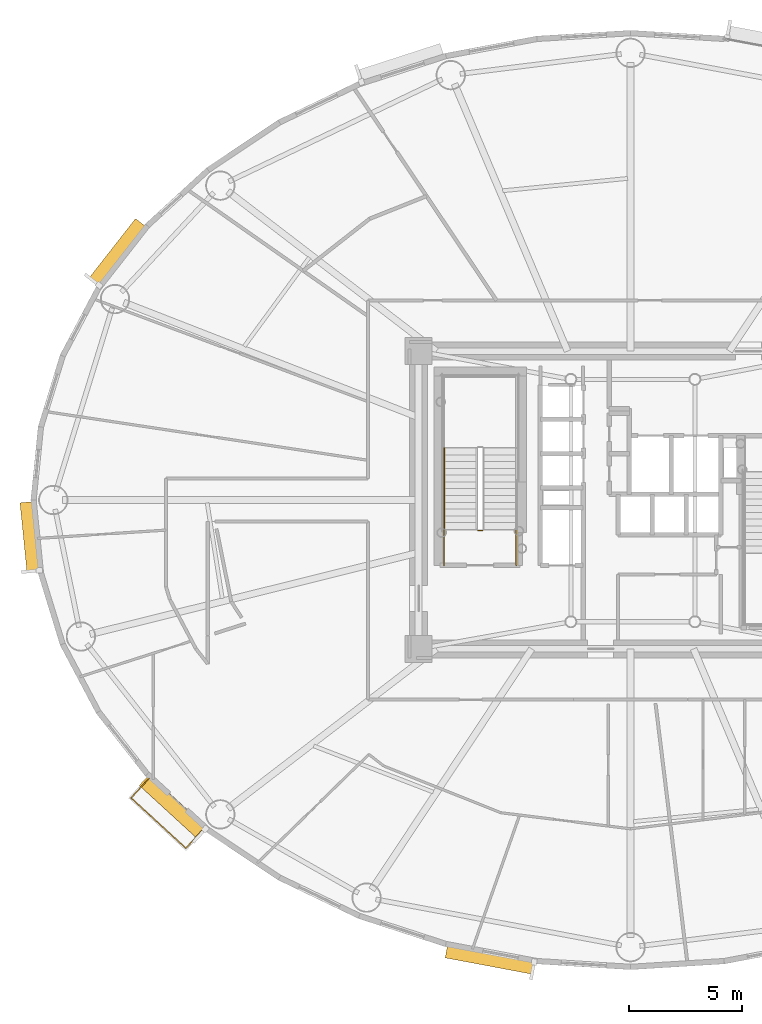
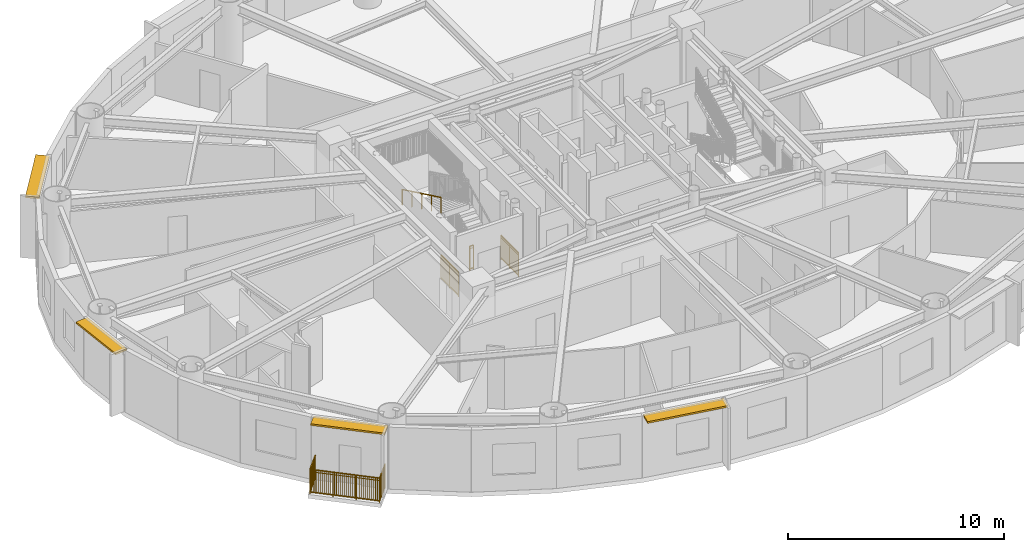
# One storey, part 13 of 18: 5 railings, 4 shading devices.
"""IFC4 building model written with IfcOpenShell, lengths in metres."""

from ifc_helpers import new_model, si_unit, direction, frame, origin, origin_2d, place, context, subcontext, project, spatial, rectangle, extrude, source, transform, mapped, material, layer, layer_set, type_object, element, save


model = new_model("IFC4")

# Units and contexts
model_context = context("Model", 3, precision=1e-05, world=origin(), true_north=direction((0.0, 1.0)))
body_context = subcontext(model_context, "Body", "Model", "MODEL_VIEW")
ifc_project = project(units=[si_unit("LENGTHUNIT", "METRE"), si_unit("AREAUNIT", "SQUARE_METRE"), si_unit("VOLUMEUNIT", "CUBIC_METRE"), si_unit("PLANEANGLEUNIT", "RADIAN"), si_unit("MASSUNIT", "GRAM", prefix="KILO")], contexts=[model_context])

# Site, building, storey
site_placement = place(None, origin())
site = spatial("IfcSite", under=ifc_project, at=site_placement, CompositionType="ELEMENT")
building_placement = place(site_placement, origin())
building = spatial("IfcBuilding", under=site, at=building_placement, Name="Linh Dai School and Residence Tower", CompositionType="ELEMENT")
storey_placement = place(building_placement, frame((0.0, 0.0, 167.39990234375)))
storey = spatial("IfcBuildingStorey", under=building, at=storey_placement, Name="L40", CompositionType="ELEMENT", Elevation=167.39990234375)

# Shading devices
ifc_material_1 = material(Name="Terracotta Ceramic Sunshade", Category="masonry")
ifc_layer = layer(ifc_material_1, 0.10009765625)
ifc_layer_set = layer_set([ifc_layer], Name="Terracotta Ceramic Sunshade")
shading_device_type = type_object("IfcShadingDeviceType", Name="SHD-TC-650", PredefinedType="USERDEFINED", material=ifc_layer_set)
shared_shape_1 = source(origin(), body_context, "Body", "SweptSolid", [
    extrude(rectangle(XDim=3.1201171875, YDim=0.64990234375, at=origin_2d()), origin(), (0.0, 0.0, 1.0), 0.10009765625),
])
shading_device_1_placement = place(storey_placement, frame((9.40380859375, 25.354736328125, 3.380126953125), z_axis=(0.0, 0.0, 1.0), x_axis=(-0.100001796141, 0.994987256586, 0.0)))
element("IfcShadingDevice", 1, at=shading_device_1_placement, inside=storey, type_object=shading_device_type, Name="L40 Terracotta Horizontal Sunshade Band 21", ObjectType="SUNSHADE", PredefinedType="USERDEFINED", context=body_context, shape_type="MappedRepresentation", body=[
    mapped(shared_shape_1, transform((0.0, 0.0, 0.0), x_axis=(1.0, 0.0, 0.0), y_axis=(0.0, 1.0, 0.0), z_axis=(0.0, 0.0, 1.0), scale=1.0)),
])
shared_shape_2 = source(origin(), body_context, "Body", "SweptSolid", [
    extrude(rectangle(XDim=3.51171875, YDim=0.64990234375, at=origin_2d()), origin(), (0.0, 0.0, 1.0), 0.10009765625),
])
shading_device_2_placement = place(storey_placement, frame((15.727294921875, 13.395263671875, 3.380126953125), z_axis=(0.0, 0.0, 1.0), x_axis=(-0.737085029426, 0.67580001435, 0.0)))
element("IfcShadingDevice", 2, at=shading_device_2_placement, inside=storey, type_object=shading_device_type, Name="L40 Terracotta Horizontal Sunshade Band 25", ObjectType="SUNSHADE", PredefinedType="USERDEFINED", context=body_context, shape_type="MappedRepresentation", body=[
    mapped(shared_shape_2, transform((0.0, 0.0, 0.0), x_axis=(1.0, 0.0, 0.0), y_axis=(0.0, 1.0, 0.0), z_axis=(0.0, 0.0, 1.0), scale=1.0)),
])
shared_shape_3 = source(origin(), body_context, "Body", "SweptSolid", [
    extrude(rectangle(XDim=3.949462890625, YDim=0.64990234375, at=origin_2d()), origin(), (0.0, 0.0, 1.0), 0.10009765625),
])
shading_device_3_placement = place(storey_placement, frame((29.780029296875, 6.650390625, 3.380126953125), z_axis=(0.0, 0.0, 1.0), x_axis=(-0.982783192645, 0.184762540184, 0.0)))
element("IfcShadingDevice", 3, at=shading_device_3_placement, inside=storey, type_object=shading_device_type, Name="L40 Terracotta Horizontal Sunshade Band 29", ObjectType="SUNSHADE", PredefinedType="USERDEFINED", context=body_context, shape_type="MappedRepresentation", body=[
    mapped(shared_shape_3, transform((0.0, 0.0, 0.0), x_axis=(1.0, 0.0, 0.0), y_axis=(0.0, 1.0, 0.0), z_axis=(0.0, 0.0, 1.0), scale=1.0)),
])
shared_shape_4 = source(origin(), body_context, "Body", "SweptSolid", [
    extrude(rectangle(XDim=3.376708984375, YDim=0.64990234375, at=origin_2d()), origin(), (0.0, 0.0, 1.0), 0.10009765625),
])
shading_device_4_placement = place(storey_placement, frame((13.263427734375, 37.94921875, 3.380126953125), z_axis=(0.0, 0.0, 1.0), x_axis=(0.616286337798, 0.787522158319, 0.0)))
element("IfcShadingDevice", 4, at=shading_device_4_placement, inside=storey, type_object=shading_device_type, Name="L40 Terracotta Horizontal Sunshade Band 17", ObjectType="SUNSHADE", PredefinedType="USERDEFINED", context=body_context, shape_type="MappedRepresentation", body=[
    mapped(shared_shape_4, transform((0.0, 0.0, 0.0), x_axis=(1.0, 0.0, 0.0), y_axis=(0.0, 1.0, 0.0), z_axis=(0.0, 0.0, 1.0), scale=1.0)),
])

# Railings
ifc_material_2 = material(Name="Structural Steel S355JR", Category="steel")
railing_type_1 = type_object("IfcRailingType", Name="RL-BAL-1400", PredefinedType="BALUSTRADE", material=ifc_material_2)
shared_shape_5 = source(origin(), body_context, "Body", "SweptSolid", [
    extrude(rectangle(XDim=0.048095703125, YDim=0.048095703125, at=origin_2d()), frame((0.0, 0.0, 1.3759765625), z_axis=(-0.675715259685, -0.737162728187, 0.0), x_axis=(0.737162728187, -0.675715259685, 0.0)), (0.0, 0.0, 1.0), 1.179931640625),
    extrude(rectangle(XDim=0.048095703125, YDim=0.048095703125, at=origin_2d()), frame((0.0, 0.0, 0.10009765625), z_axis=(-0.675715259685, -0.737162728187, 0.0), x_axis=(0.737162728187, -0.675715259685, 0.0)), (0.0, 0.0, 1.0), 1.179931640625),
    extrude(rectangle(XDim=0.030029296875, YDim=0.030029296875, at=origin_2d()), frame((0.0, 0.0, 1.239990234375), z_axis=(-0.675715259685, -0.737162728187, 0.0), x_axis=(0.737162728187, -0.675715259685, 0.0)), (0.0, 0.0, 1.0), 1.179931640625),
    extrude(rectangle(XDim=0.02001953125, YDim=0.02001953125, at=origin_2d()), frame((-0.061279296875, -0.06689453125, 0.10009765625)), (0.0, 0.0, 1.0), 1.251708984375),
    extrude(rectangle(XDim=0.02001953125, YDim=0.02001953125, at=origin_2d()), frame((-0.12255859375, -0.1337890625, 0.10009765625)), (0.0, 0.0, 1.0), 1.251708984375),
    extrude(rectangle(XDim=0.02001953125, YDim=0.02001953125, at=origin_2d()), frame((-0.18408203125, -0.20068359375, 0.10009765625)), (0.0, 0.0, 1.0), 1.251708984375),
    extrude(rectangle(XDim=0.02001953125, YDim=0.02001953125, at=origin_2d()), frame((-0.245361328125, -0.267578125, 0.10009765625)), (0.0, 0.0, 1.0), 1.251708984375),
    extrude(rectangle(XDim=0.02001953125, YDim=0.02001953125, at=origin_2d()), frame((-0.306640625, -0.33447265625, 0.10009765625)), (0.0, 0.0, 1.0), 1.251708984375),
    extrude(rectangle(XDim=0.02001953125, YDim=0.02001953125, at=origin_2d()), frame((-0.367919921875, -0.4013671875, 0.10009765625)), (0.0, 0.0, 1.0), 1.251708984375),
    extrude(rectangle(XDim=0.02001953125, YDim=0.02001953125, at=origin_2d()), frame((-0.429443359375, -0.468505859375, 0.10009765625)), (0.0, 0.0, 1.0), 1.251708984375),
    extrude(rectangle(XDim=0.02001953125, YDim=0.02001953125, at=origin_2d()), frame((-0.49072265625, -0.535400390625, 0.10009765625)), (0.0, 0.0, 1.0), 1.251708984375),
    extrude(rectangle(XDim=0.02001953125, YDim=0.02001953125, at=origin_2d()), frame((-0.552001953125, -0.602294921875, 0.10009765625)), (0.0, 0.0, 1.0), 1.251708984375),
    extrude(rectangle(XDim=0.02001953125, YDim=0.02001953125, at=origin_2d()), frame((-0.61328125, -0.669189453125, 0.10009765625)), (0.0, 0.0, 1.0), 1.251708984375),
    extrude(rectangle(XDim=0.02001953125, YDim=0.02001953125, at=origin_2d()), frame((-0.6748046875, -0.736083984375, 0.10009765625)), (0.0, 0.0, 1.0), 1.251708984375),
    extrude(rectangle(XDim=0.02001953125, YDim=0.02001953125, at=origin_2d()), frame((-0.736083984375, -0.802978515625, 0.10009765625)), (0.0, 0.0, 1.0), 1.251708984375),
    extrude(rectangle(XDim=0.048095703125, YDim=0.048095703125, at=origin_2d()), frame((-0.79736328125, -0.869873046875, 1.3759765625), z_axis=(-0.737089607401, 0.675795021187, 0.0), x_axis=(-0.675795021187, -0.737089607401, 0.0)), (0.0, 0.0, 1.0), 3.298095703125),
    extrude(rectangle(XDim=0.048095703125, YDim=0.048095703125, at=origin_2d()), frame((-0.79736328125, -0.869873046875, 0.10009765625), z_axis=(-0.737089607401, 0.675795021187, 0.0), x_axis=(-0.675795021187, -0.737089607401, 0.0)), (0.0, 0.0, 1.0), 3.298095703125),
    extrude(rectangle(XDim=0.030029296875, YDim=0.030029296875, at=origin_2d()), frame((-0.79736328125, -0.869873046875, 1.239990234375), z_axis=(-0.737089607401, 0.675795021187, 0.0), x_axis=(-0.675795021187, -0.737089607401, 0.0)), (0.0, 0.0, 1.0), 3.298095703125),
    extrude(rectangle(XDim=0.02001953125, YDim=0.02001953125, at=origin_2d()), frame((-0.868896484375, -0.80419921875, 0.10009765625)), (0.0, 0.0, 1.0), 1.251708984375),
    extrude(rectangle(XDim=0.02001953125, YDim=0.02001953125, at=origin_2d()), frame((-0.9404296875, -0.73876953125, 0.10009765625)), (0.0, 0.0, 1.0), 1.251708984375),
    extrude(rectangle(XDim=0.02001953125, YDim=0.02001953125, at=origin_2d()), frame((-1.011962890625, -0.67333984375, 0.10009765625)), (0.0, 0.0, 1.0), 1.251708984375),
    extrude(rectangle(XDim=0.02001953125, YDim=0.02001953125, at=origin_2d()), frame((-1.083251953125, -0.607666015625, 0.10009765625)), (0.0, 0.0, 1.0), 1.251708984375),
    extrude(rectangle(XDim=0.02001953125, YDim=0.02001953125, at=origin_2d()), frame((-1.15478515625, -0.5419921875, 0.10009765625)), (0.0, 0.0, 1.0), 1.251708984375),
    extrude(rectangle(XDim=0.02001953125, YDim=0.02001953125, at=origin_2d()), frame((-1.226318359375, -0.4765625, 0.10009765625)), (0.0, 0.0, 1.0), 1.251708984375),
    extrude(rectangle(XDim=0.02001953125, YDim=0.02001953125, at=origin_2d()), frame((-1.2978515625, -0.4111328125, 0.10009765625)), (0.0, 0.0, 1.0), 1.251708984375),
    extrude(rectangle(XDim=0.02001953125, YDim=0.02001953125, at=origin_2d()), frame((-1.369384765625, -0.345458984375, 0.10009765625)), (0.0, 0.0, 1.0), 1.251708984375),
    extrude(rectangle(XDim=0.02001953125, YDim=0.02001953125, at=origin_2d()), frame((-1.44091796875, -0.27978515625, 0.10009765625)), (0.0, 0.0, 1.0), 1.251708984375),
    extrude(rectangle(XDim=0.02001953125, YDim=0.02001953125, at=origin_2d()), frame((-1.512451171875, -0.21435546875, 0.10009765625)), (0.0, 0.0, 1.0), 1.251708984375),
    extrude(rectangle(XDim=0.02001953125, YDim=0.02001953125, at=origin_2d()), frame((-1.6552734375, -0.083251953125, 0.10009765625)), (0.0, 0.0, 1.0), 1.251708984375),
    extrude(rectangle(XDim=0.02001953125, YDim=0.02001953125, at=origin_2d()), frame((-1.726806640625, -0.017822265625, 0.10009765625)), (0.0, 0.0, 1.0), 1.251708984375),
    extrude(rectangle(XDim=0.02001953125, YDim=0.02001953125, at=origin_2d()), frame((-1.79833984375, 0.0478515625, 0.10009765625)), (0.0, 0.0, 1.0), 1.251708984375),
    extrude(rectangle(XDim=0.02001953125, YDim=0.02001953125, at=origin_2d()), frame((-1.869873046875, 0.11328125, 0.10009765625)), (0.0, 0.0, 1.0), 1.251708984375),
    extrude(rectangle(XDim=0.02001953125, YDim=0.02001953125, at=origin_2d()), frame((-1.94140625, 0.178955078125, 0.10009765625)), (0.0, 0.0, 1.0), 1.251708984375),
    extrude(rectangle(XDim=0.02001953125, YDim=0.02001953125, at=origin_2d()), frame((-2.0126953125, 0.24462890625, 0.10009765625)), (0.0, 0.0, 1.0), 1.251708984375),
    extrude(rectangle(XDim=0.02001953125, YDim=0.02001953125, at=origin_2d()), frame((-2.084228515625, 0.31005859375, 0.10009765625)), (0.0, 0.0, 1.0), 1.251708984375),
    extrude(rectangle(XDim=0.02001953125, YDim=0.02001953125, at=origin_2d()), frame((-2.15576171875, 0.37548828125, 0.10009765625)), (0.0, 0.0, 1.0), 1.251708984375),
    extrude(rectangle(XDim=0.02001953125, YDim=0.02001953125, at=origin_2d()), frame((-2.227294921875, 0.441162109375, 0.10009765625)), (0.0, 0.0, 1.0), 1.251708984375),
    extrude(rectangle(XDim=0.02001953125, YDim=0.02001953125, at=origin_2d()), frame((-2.298828125, 0.5068359375, 0.10009765625)), (0.0, 0.0, 1.0), 1.251708984375),
    extrude(rectangle(XDim=0.02001953125, YDim=0.02001953125, at=origin_2d()), frame((-2.370361328125, 0.572265625, 0.10009765625)), (0.0, 0.0, 1.0), 1.251708984375),
    extrude(rectangle(XDim=0.02001953125, YDim=0.02001953125, at=origin_2d()), frame((-2.51318359375, 0.703369140625, 0.10009765625)), (0.0, 0.0, 1.0), 1.251708984375),
    extrude(rectangle(XDim=0.02001953125, YDim=0.02001953125, at=origin_2d()), frame((-2.584716796875, 0.76904296875, 0.10009765625)), (0.0, 0.0, 1.0), 1.251708984375),
    extrude(rectangle(XDim=0.02001953125, YDim=0.02001953125, at=origin_2d()), frame((-2.65625, 0.83447265625, 0.10009765625)), (0.0, 0.0, 1.0), 1.251708984375),
    extrude(rectangle(XDim=0.02001953125, YDim=0.02001953125, at=origin_2d()), frame((-2.727783203125, 0.89990234375, 0.10009765625)), (0.0, 0.0, 1.0), 1.251708984375),
    extrude(rectangle(XDim=0.02001953125, YDim=0.02001953125, at=origin_2d()), frame((-2.79931640625, 0.965576171875, 0.10009765625)), (0.0, 0.0, 1.0), 1.251708984375),
    extrude(rectangle(XDim=0.02001953125, YDim=0.02001953125, at=origin_2d()), frame((-2.870849609375, 1.03125, 0.10009765625)), (0.0, 0.0, 1.0), 1.251708984375),
    extrude(rectangle(XDim=0.02001953125, YDim=0.02001953125, at=origin_2d()), frame((-2.9423828125, 1.0966796875, 0.10009765625)), (0.0, 0.0, 1.0), 1.251708984375),
    extrude(rectangle(XDim=0.02001953125, YDim=0.02001953125, at=origin_2d()), frame((-3.013671875, 1.162109375, 0.10009765625)), (0.0, 0.0, 1.0), 1.251708984375),
    extrude(rectangle(XDim=0.02001953125, YDim=0.02001953125, at=origin_2d()), frame((-3.085205078125, 1.227783203125, 0.10009765625)), (0.0, 0.0, 1.0), 1.251708984375),
    extrude(rectangle(XDim=0.02001953125, YDim=0.02001953125, at=origin_2d()), frame((-3.15673828125, 1.29345703125, 0.10009765625)), (0.0, 0.0, 1.0), 1.251708984375),
    extrude(rectangle(XDim=0.048095703125, YDim=0.048095703125, at=origin_2d()), frame((-3.228271484375, 1.35888671875, 1.3759765625), z_axis=(0.675715259685, 0.737162728187, 0.0), x_axis=(-0.737162728187, 0.675715259685, 0.0)), (0.0, 0.0, 1.0), 1.179931640625),
    extrude(rectangle(XDim=0.048095703125, YDim=0.048095703125, at=origin_2d()), frame((-3.228271484375, 1.35888671875, 0.10009765625), z_axis=(0.675715259685, 0.737162728187, 0.0), x_axis=(-0.737162728187, 0.675715259685, 0.0)), (0.0, 0.0, 1.0), 1.179931640625),
    extrude(rectangle(XDim=0.030029296875, YDim=0.030029296875, at=origin_2d()), frame((-3.228271484375, 1.35888671875, 1.239990234375), z_axis=(0.675715259685, 0.737162728187, 0.0), x_axis=(-0.737162728187, 0.675715259685, 0.0)), (0.0, 0.0, 1.0), 1.179931640625),
    extrude(rectangle(XDim=0.02001953125, YDim=0.02001953125, at=origin_2d()), frame((-3.1669921875, 1.42578125, 0.10009765625)), (0.0, 0.0, 1.0), 1.251708984375),
    extrude(rectangle(XDim=0.02001953125, YDim=0.02001953125, at=origin_2d()), frame((-3.105712890625, 1.49267578125, 0.10009765625)), (0.0, 0.0, 1.0), 1.251708984375),
    extrude(rectangle(XDim=0.02001953125, YDim=0.02001953125, at=origin_2d()), frame((-3.044189453125, 1.5595703125, 0.10009765625)), (0.0, 0.0, 1.0), 1.251708984375),
    extrude(rectangle(XDim=0.02001953125, YDim=0.02001953125, at=origin_2d()), frame((-2.98291015625, 1.62646484375, 0.10009765625)), (0.0, 0.0, 1.0), 1.251708984375),
    extrude(rectangle(XDim=0.02001953125, YDim=0.02001953125, at=origin_2d()), frame((-2.921630859375, 1.693359375, 0.10009765625)), (0.0, 0.0, 1.0), 1.251708984375),
    extrude(rectangle(XDim=0.02001953125, YDim=0.02001953125, at=origin_2d()), frame((-2.8603515625, 1.76025390625, 0.10009765625)), (0.0, 0.0, 1.0), 1.251708984375),
    extrude(rectangle(XDim=0.02001953125, YDim=0.02001953125, at=origin_2d()), frame((-2.798828125, 1.827392578125, 0.10009765625)), (0.0, 0.0, 1.0), 1.251708984375),
    extrude(rectangle(XDim=0.02001953125, YDim=0.02001953125, at=origin_2d()), frame((-2.737548828125, 1.894287109375, 0.10009765625)), (0.0, 0.0, 1.0), 1.251708984375),
    extrude(rectangle(XDim=0.02001953125, YDim=0.02001953125, at=origin_2d()), frame((-2.67626953125, 1.961181640625, 0.10009765625)), (0.0, 0.0, 1.0), 1.251708984375),
    extrude(rectangle(XDim=0.02001953125, YDim=0.02001953125, at=origin_2d()), frame((-2.614990234375, 2.028076171875, 0.10009765625)), (0.0, 0.0, 1.0), 1.251708984375),
    extrude(rectangle(XDim=0.02001953125, YDim=0.02001953125, at=origin_2d()), frame((-2.553466796875, 2.094970703125, 0.10009765625)), (0.0, 0.0, 1.0), 1.251708984375),
    extrude(rectangle(XDim=0.02001953125, YDim=0.02001953125, at=origin_2d()), frame((-2.4921875, 2.161865234375, 0.10009765625)), (0.0, 0.0, 1.0), 1.251708984375),
    extrude(rectangle(XDim=0.0419921875, YDim=0.0419921875, at=origin_2d()), origin(), (0.0, 0.0, 1.0), 1.3759765625),
    extrude(rectangle(XDim=0.0419921875, YDim=0.0419921875, at=origin_2d()), frame((-0.79736328125, -0.869873046875, 0.0)), (0.0, 0.0, 1.0), 1.3759765625),
    extrude(rectangle(XDim=0.0419921875, YDim=0.0419921875, at=origin_2d()), frame((-1.607666015625, -0.126953125, 0.0)), (0.0, 0.0, 1.0), 1.3759765625),
    extrude(rectangle(XDim=0.0419921875, YDim=0.0419921875, at=origin_2d()), frame((-2.41796875, 0.615966796875, 0.0)), (0.0, 0.0, 1.0), 1.3759765625),
    extrude(rectangle(XDim=0.0419921875, YDim=0.0419921875, at=origin_2d()), frame((-3.228271484375, 1.35888671875, 0.0)), (0.0, 0.0, 1.0), 1.3759765625),
    extrude(rectangle(XDim=0.0419921875, YDim=0.0419921875, at=origin_2d()), frame((-2.430908203125, 2.228759765625, 0.0)), (0.0, 0.0, 1.0), 1.3759765625),
])
railing_1_placement = place(storey_placement, frame((17.077880859375, 12.428466796875, 0.0)))
element("IfcRailing", 5, at=railing_1_placement, inside=storey, type_object=railing_type_1, Name="L40 Balcony Safety Balustrade 25", PredefinedType="BALUSTRADE", context=body_context, shape_type="MappedRepresentation", body=[
    mapped(shared_shape_5, transform((0.0, 0.0, 0.0), x_axis=(1.0, 0.0, 0.0), y_axis=(0.0, 1.0, 0.0), z_axis=(0.0, 0.0, 1.0), scale=1.0)),
])
railing_type_2 = type_object("IfcRailingType", Name="RL-ST-GUARD-1400", PredefinedType="GUARDRAIL", material=ifc_material_2)
shared_shape_6 = source(origin(), body_context, "Body", "SweptSolid", [
    extrude(rectangle(XDim=0.048095703125, YDim=0.048095703125, at=origin_2d()), frame((0.0, 0.0, 1.3759765625), z_axis=(-1.0, 0.0, 0.0), x_axis=(0.0, -1.0, 0.0)), (0.0, 0.0, 1.0), 0.199951171875),
    extrude(rectangle(XDim=0.048095703125, YDim=0.048095703125, at=origin_2d()), frame((0.0, 0.0, 0.10009765625), z_axis=(-1.0, 0.0, 0.0), x_axis=(0.0, -1.0, 0.0)), (0.0, 0.0, 1.0), 0.199951171875),
    extrude(rectangle(XDim=0.030029296875, YDim=0.030029296875, at=origin_2d()), frame((0.0, 0.0, 1.239990234375), z_axis=(-1.0, 0.0, 0.0), x_axis=(0.0, -1.0, 0.0)), (0.0, 0.0, 1.0), 0.199951171875),
    extrude(rectangle(XDim=0.0419921875, YDim=0.0419921875, at=origin_2d()), origin(), (0.0, 0.0, 1.0), 1.3759765625),
    extrude(rectangle(XDim=0.0419921875, YDim=0.0419921875, at=origin_2d()), frame((-0.199951171875, 0.0, 0.0)), (0.0, 0.0, 1.0), 1.3759765625),
])
railing_2_placement = place(storey_placement, frame((29.429931640625, 25.64990234375, 0.0)))
element("IfcRailing", 6, at=railing_2_placement, inside=storey, type_object=railing_type_2, Name="L40 ST1 stair guard 7", PredefinedType="GUARDRAIL", context=body_context, shape_type="MappedRepresentation", body=[
    mapped(shared_shape_6, transform((0.0, 0.0, 0.0), x_axis=(1.0, 0.0, 0.0), y_axis=(0.0, 1.0, 0.0), z_axis=(0.0, 0.0, 1.0), scale=1.0)),
])
shared_shape_7 = source(origin(), body_context, "Body", "SweptSolid", [
    extrude(rectangle(XDim=0.048095703125, YDim=0.048095703125, at=origin_2d()), frame((0.0, 0.0, 1.3759765625), z_axis=(0.0, 1.0, 0.0), x_axis=(-1.0, 0.0, 0.0)), (0.0, 0.0, 1.0), 1.599853515625),
    extrude(rectangle(XDim=0.048095703125, YDim=0.048095703125, at=origin_2d()), frame((0.0, 0.0, 0.10009765625), z_axis=(0.0, 1.0, 0.0), x_axis=(-1.0, 0.0, 0.0)), (0.0, 0.0, 1.0), 1.599853515625),
    extrude(rectangle(XDim=0.030029296875, YDim=0.030029296875, at=origin_2d()), frame((0.0, 0.0, 1.239990234375), z_axis=(0.0, 1.0, 0.0), x_axis=(-1.0, 0.0, 0.0)), (0.0, 0.0, 1.0), 1.599853515625),
    extrude(rectangle(XDim=0.02001953125, YDim=0.02001953125, at=origin_2d()), frame((0.0, 0.093994140625, 0.10009765625)), (0.0, 0.0, 1.0), 1.251708984375),
    extrude(rectangle(XDim=0.02001953125, YDim=0.02001953125, at=origin_2d()), frame((0.0, 0.188232421875, 0.10009765625)), (0.0, 0.0, 1.0), 1.251708984375),
    extrude(rectangle(XDim=0.02001953125, YDim=0.02001953125, at=origin_2d()), frame((0.0, 0.2822265625, 0.10009765625)), (0.0, 0.0, 1.0), 1.251708984375),
    extrude(rectangle(XDim=0.02001953125, YDim=0.02001953125, at=origin_2d()), frame((0.0, 0.37646484375, 0.10009765625)), (0.0, 0.0, 1.0), 1.251708984375),
    extrude(rectangle(XDim=0.02001953125, YDim=0.02001953125, at=origin_2d()), frame((0.0, 0.470458984375, 0.10009765625)), (0.0, 0.0, 1.0), 1.251708984375),
    extrude(rectangle(XDim=0.02001953125, YDim=0.02001953125, at=origin_2d()), frame((0.0, 0.564697265625, 0.10009765625)), (0.0, 0.0, 1.0), 1.251708984375),
    extrude(rectangle(XDim=0.02001953125, YDim=0.02001953125, at=origin_2d()), frame((0.0, 0.65869140625, 0.10009765625)), (0.0, 0.0, 1.0), 1.251708984375),
    extrude(rectangle(XDim=0.02001953125, YDim=0.02001953125, at=origin_2d()), frame((0.0, 0.7529296875, 0.10009765625)), (0.0, 0.0, 1.0), 1.251708984375),
    extrude(rectangle(XDim=0.02001953125, YDim=0.02001953125, at=origin_2d()), frame((0.0, 0.846923828125, 0.10009765625)), (0.0, 0.0, 1.0), 1.251708984375),
    extrude(rectangle(XDim=0.02001953125, YDim=0.02001953125, at=origin_2d()), frame((0.0, 0.941162109375, 0.10009765625)), (0.0, 0.0, 1.0), 1.251708984375),
    extrude(rectangle(XDim=0.02001953125, YDim=0.02001953125, at=origin_2d()), frame((0.0, 1.03515625, 0.10009765625)), (0.0, 0.0, 1.0), 1.251708984375),
    extrude(rectangle(XDim=0.02001953125, YDim=0.02001953125, at=origin_2d()), frame((0.0, 1.12939453125, 0.10009765625)), (0.0, 0.0, 1.0), 1.251708984375),
    extrude(rectangle(XDim=0.02001953125, YDim=0.02001953125, at=origin_2d()), frame((0.0, 1.223388671875, 0.10009765625)), (0.0, 0.0, 1.0), 1.251708984375),
    extrude(rectangle(XDim=0.02001953125, YDim=0.02001953125, at=origin_2d()), frame((0.0, 1.317626953125, 0.10009765625)), (0.0, 0.0, 1.0), 1.251708984375),
    extrude(rectangle(XDim=0.02001953125, YDim=0.02001953125, at=origin_2d()), frame((0.0, 1.41162109375, 0.10009765625)), (0.0, 0.0, 1.0), 1.251708984375),
    extrude(rectangle(XDim=0.02001953125, YDim=0.02001953125, at=origin_2d()), frame((0.0, 1.505859375, 0.10009765625)), (0.0, 0.0, 1.0), 1.251708984375),
    extrude(rectangle(XDim=0.0419921875, YDim=0.0419921875, at=origin_2d()), origin(), (0.0, 0.0, 1.0), 1.3759765625),
    extrude(rectangle(XDim=0.0419921875, YDim=0.0419921875, at=origin_2d()), frame((0.0, 0.7998046875, 0.0)), (0.0, 0.0, 1.0), 1.3759765625),
    extrude(rectangle(XDim=0.0419921875, YDim=0.0419921875, at=origin_2d()), frame((0.0, 1.599853515625, 0.0)), (0.0, 0.0, 1.0), 1.3759765625),
])
for number, where, name in (
    (7, (30.929931640625, 24.10009765625, 0.0), "L40 ST1 stair guard 8"),
    (8, (27.72998046875, 24.10009765625, 0.0), "L40 ST1 stair guard 9"),
):
    element("IfcRailing", number, at=place(storey_placement, frame(where)), inside=storey, type_object=railing_type_2, Name=name, PredefinedType="GUARDRAIL", context=body_context, shape_type="MappedRepresentation", body=[
        mapped(shared_shape_7, transform((0.0, 0.0, 0.0), x_axis=(1.0, 0.0, 0.0), y_axis=(0.0, 1.0, 0.0), z_axis=(0.0, 0.0, 1.0), scale=1.0)),
    ])
ifc_material_3 = material(Name="Brushed Stainless Steel Handrail", Category="steel")
railing_type_3 = type_object("IfcRailingType", Name="RL-ST-HANDRAIL-900", PredefinedType="HANDRAIL", material=ifc_material_3)
shared_shape_8 = source(origin(), body_context, "Body", "SweptSolid", [
    extrude(rectangle(XDim=0.048095703125, YDim=0.048095703125, at=origin_2d()), frame((0.0, 0.0, 0.8759765625), z_axis=(0.0, -0.901262522062, 0.433273431364), x_axis=(1.0, 0.0, 0.0)), (0.0, 0.0, 1.0), 3.994384765625),
    extrude(rectangle(XDim=0.0419921875, YDim=0.0419921875, at=origin_2d()), origin(), (0.0, 0.0, 1.0), 0.8759765625),
    extrude(rectangle(XDim=0.0419921875, YDim=0.0419921875, at=origin_2d()), frame((0.0, -0.89990234375, 0.4326171875)), (0.0, 0.0, 1.0), 0.8759765625),
    extrude(rectangle(XDim=0.0419921875, YDim=0.0419921875, at=origin_2d()), frame((0.0, -1.800048828125, 0.865234375)), (0.0, 0.0, 1.0), 0.8759765625),
    extrude(rectangle(XDim=0.0419921875, YDim=0.0419921875, at=origin_2d()), frame((0.0, -2.7001953125, 1.298095703125)), (0.0, 0.0, 1.0), 0.8759765625),
    extrude(rectangle(XDim=0.0419921875, YDim=0.0419921875, at=origin_2d()), frame((0.0, -3.60009765625, 1.730712890625)), (0.0, 0.0, 1.0), 0.8759765625),
])
railing_3_placement = place(storey_placement, frame((27.72998046875, 29.300048828125, 2.019287109375)))
element("IfcRailing", 9, at=railing_3_placement, inside=storey, type_object=railing_type_3, Name="L40 ST1 stair handrail 2", PredefinedType="HANDRAIL", context=body_context, shape_type="MappedRepresentation", body=[
    mapped(shared_shape_8, transform((0.0, 0.0, 0.0), x_axis=(1.0, 0.0, 0.0), y_axis=(0.0, 1.0, 0.0), z_axis=(0.0, 0.0, 1.0), scale=1.0)),
])

save(model, "model.ifc")
